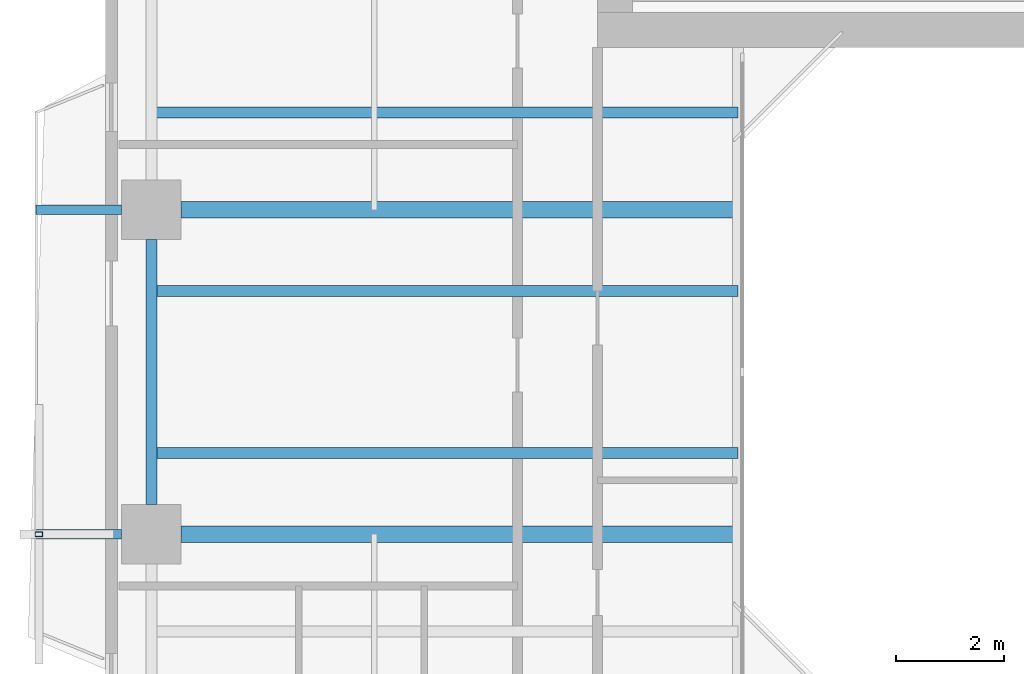
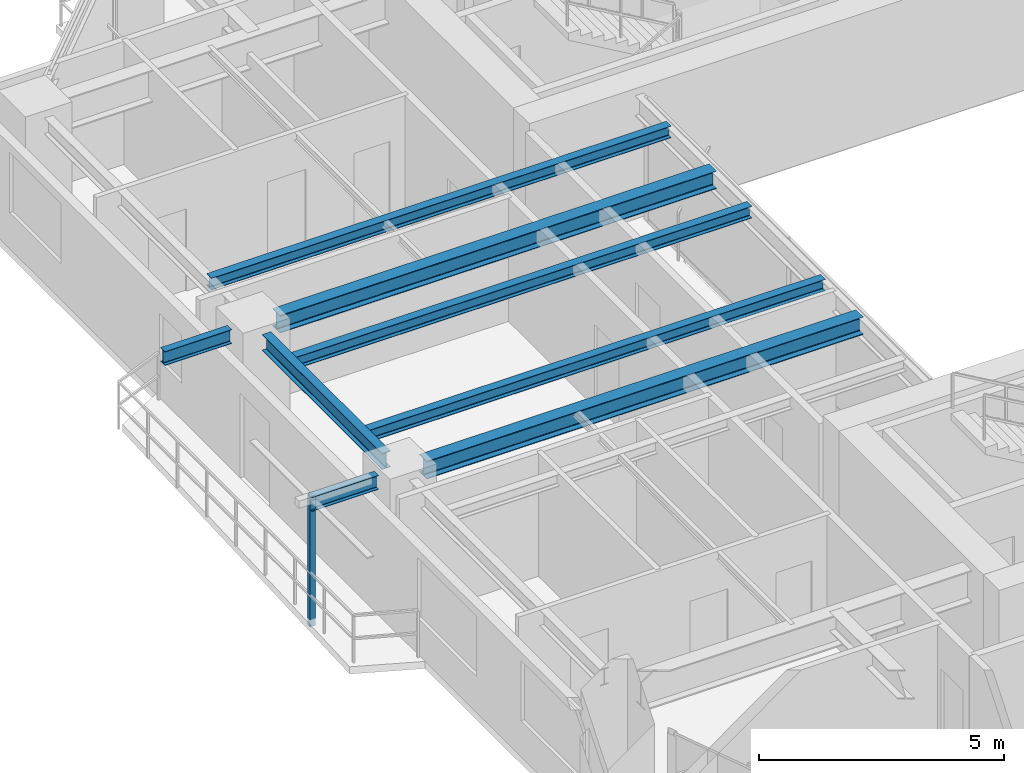
# One storey, part 4 of 17: 8 beams, 1 member.
"""IFC4 building model written with IfcOpenShell, lengths in metres."""

from ifc_helpers import new_model, si_unit, direction, frame, origin, origin_2d, place, context, subcontext, project, spatial, hollow_rectangle, i_section, extrude, source, transform, mapped, material, material_profile, profile_set, type_object, element, save


model = new_model("IFC4")

# Units and contexts
model_context = context("Model", 3, precision=1e-05, world=origin(), true_north=direction((0.0, 1.0)))
body_context = subcontext(model_context, "Body", "Model", "MODEL_VIEW")
ifc_project = project(units=[si_unit("LENGTHUNIT", "METRE"), si_unit("AREAUNIT", "SQUARE_METRE"), si_unit("VOLUMEUNIT", "CUBIC_METRE"), si_unit("PLANEANGLEUNIT", "RADIAN"), si_unit("MASSUNIT", "GRAM", prefix="KILO"), si_unit("THERMODYNAMICTEMPERATUREUNIT", "KELVIN"), si_unit("POWERUNIT", "WATT")], contexts=[model_context])

# Site, building, storey
site_placement = place(None, origin())
site = spatial("IfcSite", under=ifc_project, at=site_placement, CompositionType="ELEMENT")
building_placement = place(site_placement, origin())
building = spatial("IfcBuilding", under=site, at=building_placement, Name="Qiaomeng Ring Towers", CompositionType="ELEMENT")
storey_placement = place(building_placement, frame((0.0, 0.0, 123.0)))
storey = spatial("IfcBuildingStorey", under=building, at=storey_placement, Name="L35", CompositionType="ELEMENT", Elevation=123.0)

# Beams
ifc_material_1 = material(Name="Steel Q355B", Category="steel")
ifc_material_profile_1 = material_profile(ifc_material_1, i_section(OverallWidth=0.199951171875, OverallDepth=0.39990234375, WebThickness=0.008056640625, FlangeThickness=0.012939453125, FilletRadius=0.01611328125, at=origin_2d()), Name="HN 400x200x8x13")
ifc_profile_set_1 = profile_set([ifc_material_profile_1], Name="Steel Q355B")
beam_type_1 = type_object("IfcBeamType", Name="STR-BM-HN400", PredefinedType="SPANDREL", material=ifc_profile_set_1)
shared_shape_1 = source(origin(), body_context, "Body", "SweptSolid", [
    extrude(i_section(OverallWidth=0.199951171875, OverallDepth=0.39990234375, WebThickness=0.008056640625, FlangeThickness=0.012939453125, FilletRadius=0.01611328125, at=origin_2d()), origin(), (0.0, 0.0, 1.0), 4.90185546875),
])
beam_placement = place(storey_placement, frame((1.949951171875, 25.450927734375, 2.8701171875), z_axis=(0.0, -1.0, 0.0), x_axis=(1.0, 0.0, 0.0)))
element("IfcBeam", 1, at=beam_placement, inside=storey, type_object=beam_type_1, Name="L35 beam STR-SP-L35-T1-W3-W2", PredefinedType="SPANDREL", context=body_context, shape_type="MappedRepresentation", body=[
    mapped(shared_shape_1, transform((0.0, 0.0, 0.0), x_axis=(1.0, 0.0, 0.0), y_axis=(0.0, 1.0, 0.0), z_axis=(0.0, 0.0, 1.0), scale=1.0)),
])
ifc_material_profile_2 = material_profile(ifc_material_1, i_section(OverallWidth=0.300048828125, OverallDepth=0.43994140625, WebThickness=0.010986328125, FlangeThickness=0.01806640625, FilletRadius=0.02392578125, at=origin_2d()), Name="HM 440x300x11x18")
ifc_profile_set_2 = profile_set([ifc_material_profile_2], Name="Steel Q355B")
beam_type_2 = type_object("IfcBeamType", Name="STR-BM-HM440", PredefinedType="BEAM", material=ifc_profile_set_2)
shared_shape_2 = source(origin(), body_context, "Body", "SweptSolid", [
    extrude(i_section(OverallWidth=0.300048828125, OverallDepth=0.43994140625, WebThickness=0.010986328125, FlangeThickness=0.01806640625, FilletRadius=0.02392578125, at=origin_2d()), origin(), (0.0, 0.0, 1.0), 10.301025390625),
])
for number, where, z_axis, x_axis, name in (
    (2, (2.4990234375, 20.0, 2.85009765625), (1.0, 0.0, 0.0), (0.0, 1.0, 0.0), "L35 beam STR-BM-L35-T1-RAD-W2"),
    (3, (2.4990234375, 26.0, 2.85009765625), (1.0, 0.0, 0.0), (0.0, 1.0, 0.0), "L35 beam STR-BM-L35-T1-RAD-W3"),
):
    element("IfcBeam", number, at=place(storey_placement, frame(where, z_axis=z_axis, x_axis=x_axis)), inside=storey, type_object=beam_type_2, Name=name, PredefinedType="BEAM", context=body_context, shape_type="MappedRepresentation", body=[
        mapped(shared_shape_2, transform((0.0, 0.0, 0.0), x_axis=(1.0, 0.0, 0.0), y_axis=(0.0, 1.0, 0.0), z_axis=(0.0, 0.0, 1.0), scale=1.0)),
    ])
ifc_material_profile_3 = material_profile(ifc_material_1, i_section(OverallWidth=0.175048828125, OverallDepth=0.35009765625, WebThickness=0.007080078125, FlangeThickness=0.010986328125, FilletRadius=0.013916015625, at=origin_2d()), Name="HN 350x175x7x11")
ifc_profile_set_3 = profile_set([ifc_material_profile_3], Name="Steel Q355B")
beam_type_3 = type_object("IfcBeamType", Name="STR-BM-HN350", PredefinedType="JOIST", material=ifc_profile_set_3)
shared_shape_3 = source(origin(), body_context, "Body", "SweptSolid", [
    extrude(i_section(OverallWidth=0.175048828125, OverallDepth=0.35009765625, WebThickness=0.007080078125, FlangeThickness=0.010986328125, FilletRadius=0.013916015625, at=origin_2d()), origin(), (0.0, 0.0, 1.0), 1.580810546875),
])
for number, where, z_axis, x_axis, name in (
    (4, (-0.179931640625, 20.0, 2.89501953125), (1.0, 0.0, 0.0), (0.0, 1.0, 0.0), "L35 beam STR-BALBM-L35-W2"),
    (5, (-0.179931640625, 26.0, 2.89501953125), (1.0, 0.0, 0.0), (0.0, 1.0, 0.0), "L35 beam STR-BALBM-L35-W3"),
):
    element("IfcBeam", number, at=place(storey_placement, frame(where, z_axis=z_axis, x_axis=x_axis)), inside=storey, type_object=beam_type_3, Name=name, PredefinedType="JOIST", context=body_context, shape_type="MappedRepresentation", body=[
        mapped(shared_shape_3, transform((0.0, 0.0, 0.0), x_axis=(1.0, 0.0, 0.0), y_axis=(0.0, 1.0, 0.0), z_axis=(0.0, 0.0, 1.0), scale=1.0)),
    ])
ifc_material_profile_4 = material_profile(ifc_material_1, i_section(OverallWidth=0.199951171875, OverallDepth=0.2939453125, WebThickness=0.008056640625, FlangeThickness=0.011962890625, FilletRadius=0.01806640625, at=origin_2d()), Name="HM 294x200x8x12")
ifc_profile_set_4 = profile_set([ifc_material_profile_4], Name="Steel Q355B")
beam_type_4 = type_object("IfcBeamType", Name="STR-BM-HM294", PredefinedType="JOIST", material=ifc_profile_set_4)
shared_shape_4 = source(origin(), body_context, "Body", "SweptSolid", [
    extrude(i_section(OverallWidth=0.199951171875, OverallDepth=0.2939453125, WebThickness=0.008056640625, FlangeThickness=0.011962890625, FilletRadius=0.01806640625, at=origin_2d()), origin(), (0.0, 0.0, 1.0), 10.85009765625),
])
for number, where, z_axis, x_axis, name in (
    (6, (1.949951171875, 21.5, 2.923095703125), (1.0, 0.0, 0.0), (0.0, 1.0, 0.0), "L35 beam STR-JST-L35-T1W-2"),
    (7, (1.949951171875, 24.5, 2.923095703125), (1.0, 0.0, 0.0), (0.0, 1.0, 0.0), "L35 beam STR-JST-L35-T1W-3"),
    (8, (1.949951171875, 27.800048828125, 2.923095703125), (1.0, 0.0, 0.0), (0.0, 1.0, 0.0), "L35 beam STR-JST-L35-T1W-4"),
):
    element("IfcBeam", number, at=place(storey_placement, frame(where, z_axis=z_axis, x_axis=x_axis)), inside=storey, type_object=beam_type_4, Name=name, PredefinedType="JOIST", context=body_context, shape_type="MappedRepresentation", body=[
        mapped(shared_shape_4, transform((0.0, 0.0, 0.0), x_axis=(1.0, 0.0, 0.0), y_axis=(0.0, 1.0, 0.0), z_axis=(0.0, 0.0, 1.0), scale=1.0)),
    ])

# Member
ifc_material_2 = material(Name="Stainless steel 316", Category="steel")
ifc_material_profile_5 = material_profile(ifc_material_2, hollow_rectangle(XDim=0.090087890625, YDim=0.139892578125, WallThickness=0.0048828125, at=origin_2d()), Name="SS TRELLIS 90x140")
ifc_profile_set_5 = profile_set([ifc_material_profile_5], Name="Stainless steel 316")
member_type = type_object("IfcMemberType", Name="ARC-TR-POST1", PredefinedType="STUD", material=ifc_profile_set_5)
shared_shape_5 = source(origin(), body_context, "Body", "SweptSolid", [
    extrude(hollow_rectangle(XDim=0.090087890625, YDim=0.139892578125, WallThickness=0.0048828125, at=origin_2d()), origin(), (0.0, 0.0, 1.0), 3.25),
])
member_placement = place(storey_placement, frame((-0.1298828125, 20.0, -0.179931640625), z_axis=(0.0, 0.0, 1.0), x_axis=(0.0, 1.0, 0.0)))
element("IfcMember", 9, at=member_placement, inside=storey, type_object=member_type, Name="L35 Outer Ventilated Trellis Post W", PredefinedType="STUD", context=body_context, shape_type="MappedRepresentation", body=[
    mapped(shared_shape_5, transform((0.0, 0.0, 0.0), x_axis=(1.0, 0.0, 0.0), y_axis=(0.0, 1.0, 0.0), z_axis=(0.0, 0.0, 1.0), scale=1.0)),
])

save(model, "model.ifc")
